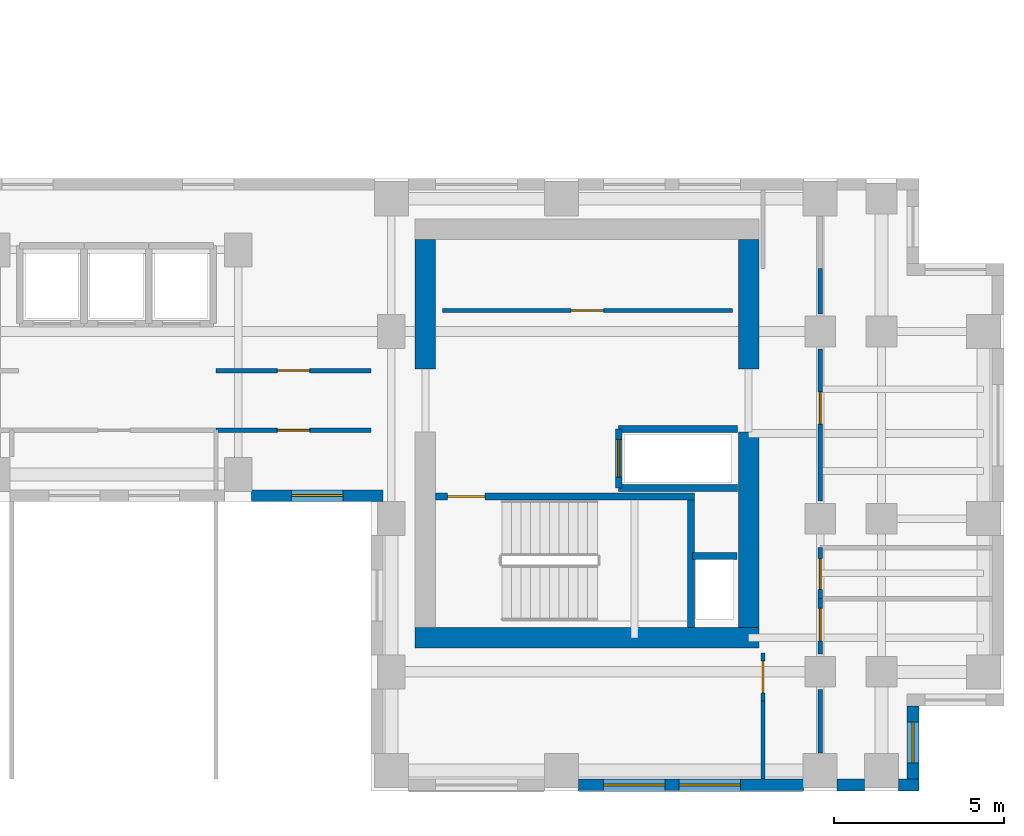
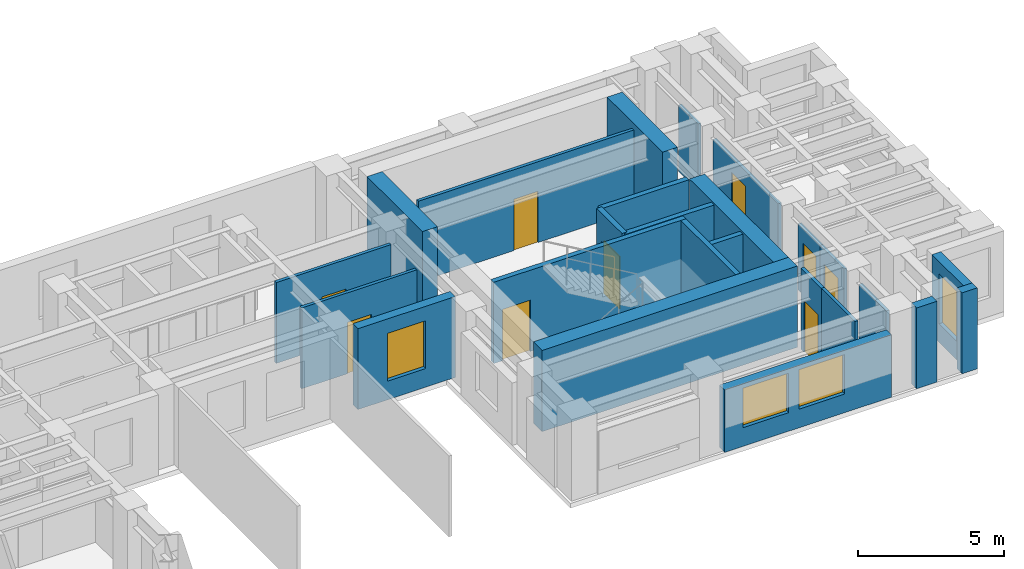
# One storey, part 7 of 11: 25 walls, 9 doors, 4 windows, 13 openings.
"""IFC4 building model written with IfcOpenShell, lengths in metres."""

from ifc_helpers import new_model, si_unit, direction, frame, frame_2d, origin, place, context, subcontext, project, spatial, rectangle, extrude, source, transform, mapped, material, layer, layer_set, type_object, element, fill, save


model = new_model("IFC4")

# Units and contexts
model_context = context("Model", 3, precision=1e-05, world=origin(), true_north=direction((0.0, 1.0)))
body_context = subcontext(model_context, "Body", "Model", "MODEL_VIEW")
ifc_project = project(units=[si_unit("LENGTHUNIT", "METRE"), si_unit("AREAUNIT", "SQUARE_METRE"), si_unit("VOLUMEUNIT", "CUBIC_METRE"), si_unit("PLANEANGLEUNIT", "RADIAN"), si_unit("MASSUNIT", "GRAM", prefix="KILO")], contexts=[model_context])

# Site, building, storey
site_placement = place(None, origin())
site = spatial("IfcSite", under=ifc_project, at=site_placement, CompositionType="ELEMENT")
building_placement = place(site_placement, origin())
building = spatial("IfcBuilding", under=site, at=building_placement, Name="Kharzan Plaza Tower", CompositionType="ELEMENT")
storey_placement = place(building_placement, frame((0.0, 0.0, 200.699951171875)))
storey = spatial("IfcBuildingStorey", under=building, at=storey_placement, Name="L54", CompositionType="ELEMENT", Elevation=200.699951171875)

# Wall, opening, window
ifc_material_1 = material(Name="Concrete C40/50", Category="concrete")
ifc_layer_1 = layer(ifc_material_1, 0.35009765625)
ifc_layer_set_1 = layer_set([ifc_layer_1], Name="Concrete C40/50")
wall_type_1 = type_object("IfcWallType", Name="WL-EXT-MAS-Z3", PredefinedType="SOLIDWALL", material=ifc_layer_set_1)
wall_1_placement = place(storey_placement, frame((30.89794921875, 8.675048828125, 0.0), z_axis=(0.0, 0.0, 1.0), x_axis=(1.0, 0.0, 0.0)))
wall_1 = element("IfcWall", 1, at=wall_1_placement, inside=storey, type_object=wall_type_1, Name="L54 Masonry-Frame Exterior Wall 28", PredefinedType="SOLIDWALL", context=body_context, shape_type="SweptSolid", body=[
    extrude(rectangle(XDim=3.85205078125, YDim=0.35009765625, at=frame_2d((1.926025390625, 0.0))), origin(), (0.0, 0.0, 1.0), 3.385009765625),
])
opening_1_placement = place(wall_1_placement, frame((1.176025390625, 0.0, 0.780029296875)))
opening_1 = element("IfcOpeningElement", 2, at=opening_1_placement, cuts=wall_1, Name="Opening W5", PredefinedType="OPENING", context=body_context, shape_type="SweptSolid", body=[
    extrude(rectangle(XDim=1.5, YDim=2.0, at=frame_2d((0.75, 1.0))), frame((0.0, 0.18505859375, 0.0), z_axis=(0.0, -1.0, 0.0), x_axis=(1.0, 0.0, 0.0)), (0.0, 0.0, 1.0), 0.3701171875),
])
ifc_material_2 = material(Name="Low-E Double Glazing", Category="glass")
window_type_1 = type_object("IfcWindowType", Name="WN-SLT-1500x2000", PartitioningType="SINGLE_PANEL", PredefinedType="WINDOW", material=ifc_material_2)
shared_shape_1 = source(origin(), body_context, "Body", "SweptSolid", [
    extrude(rectangle(XDim=1.5, YDim=2.0, at=frame_2d((0.75, 1.0))), frame((0.0, 0.030029296875, 0.0), z_axis=(0.0, -1.0, 0.0), x_axis=(1.0, 0.0, 0.0)), (0.0, 0.0, 1.0), 0.06005859375),
])
window_1_placement = place(opening_1_placement, origin())
window_1 = element("IfcWindow", 3, at=window_1_placement, inside=storey, type_object=window_type_1, Name="L54 Recessed Solar-Control Window 28-1", OverallHeight=2.0, OverallWidth=1.5, PartitioningType="SINGLE_PANEL", PredefinedType="WINDOW", context=body_context, shape_type="MappedRepresentation", body=[
    mapped(shared_shape_1, transform((0.0, 0.0, 0.0), x_axis=(1.0, 0.0, 0.0), y_axis=(0.0, 1.0, 0.0), z_axis=(0.0, 0.0, 1.0))),
])
fill(opening_1, window_1)

# Wall, openings, windows
wall_2_placement = place(storey_placement, frame((40.498046875, 0.175048828125, 0.0), z_axis=(0.0, 0.0, 1.0), x_axis=(1.0, 0.0, 0.0)))
wall_2 = element("IfcWall", 4, at=wall_2_placement, inside=storey, type_object=wall_type_1, Name="L54 Masonry-Frame Exterior Wall 32", PredefinedType="SOLIDWALL", context=body_context, shape_type="SweptSolid", body=[
    extrude(rectangle(XDim=6.60400390625, YDim=0.35009765625, at=frame_2d((3.302001953125, 0.0))), origin(), (0.0, 0.0, 1.0), 2.612060546875),
])
opening_2_placement = place(wall_2_placement, frame((0.7373046875, 0.0, 0.780029296875)))
opening_2 = element("IfcOpeningElement", 5, at=opening_2_placement, cuts=wall_2, Name="Opening W1", PredefinedType="OPENING", context=body_context, shape_type="SweptSolid", body=[
    extrude(rectangle(XDim=1.800048828125, YDim=1.652099609375, at=frame_2d((0.89990234375, 0.826171875))), frame((0.0, 0.18505859375, 0.0), z_axis=(0.0, -1.0, 0.0), x_axis=(1.0, 0.0, 0.0)), (0.0, 0.0, 1.0), 0.3701171875),
])
opening_3_placement = place(wall_2_placement, frame((2.95458984375, 0.0, 0.780029296875)))
opening_3 = element("IfcOpeningElement", 6, at=opening_3_placement, cuts=wall_2, Name="Opening W1", PredefinedType="OPENING", context=body_context, shape_type="SweptSolid", body=[
    extrude(rectangle(XDim=1.800048828125, YDim=1.652099609375, at=frame_2d((0.89990234375, 0.826171875))), frame((0.0, 0.18505859375, 0.0), z_axis=(0.0, -1.0, 0.0), x_axis=(1.0, 0.0, 0.0)), (0.0, 0.0, 1.0), 0.3701171875),
])
window_type_2 = type_object("IfcWindowType", Name="WN-REC-1800x2100", PartitioningType="SINGLE_PANEL", PredefinedType="WINDOW", material=ifc_material_2)
shared_shape_2 = source(origin(), body_context, "Body", "SweptSolid", [
    extrude(rectangle(XDim=1.800048828125, YDim=1.652099609375, at=frame_2d((0.89990234375, 0.826171875))), frame((0.0, 0.030029296875, 0.0), z_axis=(0.0, -1.0, 0.0), x_axis=(1.0, 0.0, 0.0)), (0.0, 0.0, 1.0), 0.06005859375),
])
window_2_placement = place(opening_2_placement, origin())
window_2 = element("IfcWindow", 7, at=window_2_placement, inside=storey, type_object=window_type_2, Name="L54 Recessed Solar-Control Window 32-1", OverallHeight=1.652099609375, OverallWidth=1.800048828125, PartitioningType="SINGLE_PANEL", PredefinedType="WINDOW", context=body_context, shape_type="MappedRepresentation", body=[
    mapped(shared_shape_2, transform((0.0, 0.0, 0.0), x_axis=(1.0, 0.0, 0.0), y_axis=(0.0, 1.0, 0.0), z_axis=(0.0, 0.0, 1.0))),
])
fill(opening_2, window_2)
window_3_placement = place(opening_3_placement, origin())
window_3 = element("IfcWindow", 8, at=window_3_placement, inside=storey, type_object=window_type_2, Name="L54 Recessed Solar-Control Window 32-2", OverallHeight=1.652099609375, OverallWidth=1.800048828125, PartitioningType="SINGLE_PANEL", PredefinedType="WINDOW", context=body_context, shape_type="MappedRepresentation", body=[
    mapped(shared_shape_2, transform((0.0, 0.0, 0.0), x_axis=(1.0, 0.0, 0.0), y_axis=(0.0, 1.0, 0.0), z_axis=(0.0, 0.0, 1.0))),
])
fill(opening_3, window_3)

# Wall, opening, window
wall_3_placement = place(storey_placement, frame((50.324951171875, 0.347900390625, 0.0), z_axis=(0.0, 0.0, 1.0), x_axis=(0.0, 1.0, 0.0)))
wall_3 = element("IfcWall", 9, at=wall_3_placement, inside=storey, type_object=wall_type_1, Name="L54 Masonry-Frame Exterior Wall 35", PredefinedType="SOLIDWALL", context=body_context, shape_type="SweptSolid", body=[
    extrude(rectangle(XDim=2.154052734375, YDim=0.35009765625, at=frame_2d((1.0771484375, 0.0))), origin(), (0.0, 0.0, 1.0), 3.385009765625),
])
opening_4_placement = place(wall_3_placement, frame((0.47705078125, 0.0, 0.780029296875)))
opening_4 = element("IfcOpeningElement", 10, at=opening_4_placement, cuts=wall_3, Name="Opening W3", PredefinedType="OPENING", context=body_context, shape_type="SweptSolid", body=[
    extrude(rectangle(XDim=1.199951171875, YDim=2.10009765625, at=frame_2d((0.60009765625, 1.050048828125))), frame((0.0, 0.18505859375, 0.0), z_axis=(0.0, -1.0, 0.0), x_axis=(1.0, 0.0, 0.0)), (0.0, 0.0, 1.0), 0.3701171875),
])
window_type_3 = type_object("IfcWindowType", Name="WN-REC-1200x2100", PartitioningType="SINGLE_PANEL", PredefinedType="WINDOW", material=ifc_material_2)
shared_shape_3 = source(origin(), body_context, "Body", "SweptSolid", [
    extrude(rectangle(XDim=1.199951171875, YDim=2.10009765625, at=frame_2d((0.60009765625, 1.050048828125))), frame((0.0, 0.030029296875, 0.0), z_axis=(0.0, -1.0, 0.0), x_axis=(1.0, 0.0, 0.0)), (0.0, 0.0, 1.0), 0.06005859375),
])
window_4_placement = place(opening_4_placement, origin())
window_4 = element("IfcWindow", 11, at=window_4_placement, inside=storey, type_object=window_type_3, Name="L54 Recessed Solar-Control Window 35-1", OverallHeight=2.10009765625, OverallWidth=1.199951171875, PartitioningType="SINGLE_PANEL", PredefinedType="WINDOW", context=body_context, shape_type="MappedRepresentation", body=[
    mapped(shared_shape_3, transform((0.0, 0.0, 0.0), x_axis=(1.0, 0.0, 0.0), y_axis=(0.0, 1.0, 0.0), z_axis=(0.0, 0.0, 1.0))),
])
fill(opening_4, window_4)

# Wall, opening, door
ifc_material_3 = material(Name="Fire-Rated Gypsum Board Partition", Category="gypsum")
ifc_layer_2 = layer(ifc_material_3, 0.125)
ifc_layer_set_2 = layer_set([ifc_layer_2], Name="Fire-Rated Gypsum Board Partition")
wall_type_2 = type_object("IfcWallType", Name="WL-INT-PART-125", PredefinedType="PARTITIONING", material=ifc_layer_set_2)
wall_4_placement = place(storey_placement, frame((36.5, 14.1201171875, 0.0), z_axis=(0.0, 0.0, 1.0), x_axis=(1.0, 0.0, 0.0)))
wall_4 = element("IfcWall", 12, at=wall_4_placement, inside=storey, type_object=wall_type_2, Name="L54 Interior Partition CB-RBLS1", PredefinedType="PARTITIONING", context=body_context, shape_type="SweptSolid", body=[
    extrude(rectangle(XDim=8.52001953125, YDim=0.125, at=frame_2d((4.260009765625, 0.0))), origin(), (0.0, 0.0, 1.0), 3.385009765625),
])
opening_5_placement = place(wall_4_placement, frame((3.784912109375, 0.0, 0.0)))
opening_5 = element("IfcOpeningElement", 13, at=opening_5_placement, cuts=wall_4, Name="Opening OD1", PredefinedType="OPENING", context=body_context, shape_type="SweptSolid", body=[
    extrude(rectangle(XDim=0.949951171875, YDim=2.14990234375, at=frame_2d((0.47509765625, 1.074951171875))), frame((0.0, 0.072509765625, 0.0), z_axis=(0.0, -1.0, 0.0), x_axis=(1.0, 0.0, 0.0)), (0.0, 0.0, 1.0), 0.14501953125),
])
ifc_material_4 = material(Name="Acoustic Solid-Core Stained Oak", Category="timber")
door_type_1 = type_object("IfcDoorType", Name="DR-OFF-SINGLE", OperationType="NOTDEFINED", PredefinedType="DOOR", material=ifc_material_4)
shared_shape_4 = source(origin(), body_context, "Body", "SweptSolid", [
    extrude(rectangle(XDim=0.949951171875, YDim=2.14990234375, at=frame_2d((0.47509765625, 1.074951171875))), frame((0.0, 0.02490234375, 0.0), z_axis=(0.0, -1.0, 0.0), x_axis=(1.0, 0.0, 0.0)), (0.0, 0.0, 1.0), 0.050048828125),
])
door_1_placement = place(opening_5_placement, origin())
door_1 = element("IfcDoor", 14, at=door_1_placement, inside=storey, type_object=door_type_1, Name="L54 Mail Room Door", OperationType="SINGLE_SWING_LEFT", OverallHeight=2.14990234375, OverallWidth=0.949951171875, PredefinedType="DOOR", context=body_context, shape_type="MappedRepresentation", body=[
    mapped(shared_shape_4, transform((0.0, 0.0, 0.0), x_axis=(1.0, 0.0, 0.0), y_axis=(0.0, 1.0, 0.0), z_axis=(0.0, 0.0, 1.0))),
])
fill(opening_5, door_1)

wall_5_placement = place(storey_placement, frame((47.60009765625, 4.02001953125, 0.0), z_axis=(0.0, 0.0, 1.0), x_axis=(0.0, 1.0, 0.0)))
wall_5 = element("IfcWall", 15, at=wall_5_placement, inside=storey, type_object=wall_type_2, Name="L54 Interior Partition SH-B0W0", PredefinedType="PARTITIONING", context=body_context, shape_type="SweptSolid", body=[
    extrude(rectangle(XDim=1.6298828125, YDim=0.125, at=frame_2d((0.81494140625, 0.0))), origin(), (0.0, 0.0, 1.0), 2.77294921875),
])
opening_6_placement = place(wall_5_placement, frame((0.393310546875, 0.0, 0.0)))
opening_6 = element("IfcOpeningElement", 16, at=opening_6_placement, cuts=wall_5, Name="Opening OD1", PredefinedType="OPENING", context=body_context, shape_type="SweptSolid", body=[
    extrude(rectangle(XDim=0.949951171875, YDim=2.14990234375, at=frame_2d((0.47509765625, 1.074951171875))), frame((0.0, 0.072509765625, 0.0), z_axis=(0.0, -1.0, 0.0), x_axis=(1.0, 0.0, 0.0)), (0.0, 0.0, 1.0), 0.14501953125),
])
door_2_placement = place(opening_6_placement, origin())
door_2 = element("IfcDoor", 17, at=door_2_placement, inside=storey, type_object=door_type_1, Name="L54 Wing B South Office Door", OperationType="SINGLE_SWING_RIGHT", OverallHeight=2.14990234375, OverallWidth=0.949951171875, PredefinedType="DOOR", context=body_context, shape_type="MappedRepresentation", body=[
    mapped(shared_shape_4, transform((0.0, 0.0, 0.0), x_axis=(1.0, 0.0, 0.0), y_axis=(0.0, 1.0, 0.0), z_axis=(0.0, 0.0, 1.0))),
])
fill(opening_6, door_2)

wall_6_placement = place(storey_placement, frame((47.60009765625, 8.52001953125, 0.0), z_axis=(0.0, 0.0, 1.0), x_axis=(0.0, 1.0, 0.0)))
wall_6 = element("IfcWall", 18, at=wall_6_placement, inside=storey, type_object=wall_type_2, Name="L54 Interior Partition SH-B0W1-S1", PredefinedType="PARTITIONING", context=body_context, shape_type="SweptSolid", body=[
    extrude(rectangle(XDim=4.4599609375, YDim=0.125, at=frame_2d((2.22998046875, 0.0))), origin(), (0.0, 0.0, 1.0), 2.77294921875),
])
opening_7_placement = place(wall_6_placement, frame((2.2548828125, 0.0, 0.0)))
opening_7 = element("IfcOpeningElement", 19, at=opening_7_placement, cuts=wall_6, Name="Opening OD1", PredefinedType="OPENING", context=body_context, shape_type="SweptSolid", body=[
    extrude(rectangle(XDim=0.949951171875, YDim=2.14990234375, at=frame_2d((0.47509765625, 1.074951171875))), frame((0.0, 0.072509765625, 0.0), z_axis=(0.0, -1.0, 0.0), x_axis=(1.0, 0.0, 0.0)), (0.0, 0.0, 1.0), 0.14501953125),
])
door_3_placement = place(opening_7_placement, origin())
door_3 = element("IfcDoor", 20, at=door_3_placement, inside=storey, type_object=door_type_1, Name="L54 Open Engineering Workspace Door", OperationType="SINGLE_SWING_LEFT", OverallHeight=2.14990234375, OverallWidth=0.949951171875, PredefinedType="DOOR", context=body_context, shape_type="MappedRepresentation", body=[
    mapped(shared_shape_4, transform((0.0, 0.0, 0.0), x_axis=(1.0, 0.0, 0.0), y_axis=(0.0, 1.0, 0.0), z_axis=(0.0, 0.0, 1.0))),
])
fill(opening_7, door_3)

wall_7_placement = place(storey_placement, frame((47.60009765625, 5.64990234375, 0.0), z_axis=(0.0, 0.0, 1.0), x_axis=(0.0, 1.0, 0.0)))
wall_7 = element("IfcWall", 21, at=wall_7_placement, inside=storey, type_object=wall_type_2, Name="L54 Interior Partition SH-B0WC", PredefinedType="PARTITIONING", context=body_context, shape_type="SweptSolid", body=[
    extrude(rectangle(XDim=1.5, YDim=0.125, at=frame_2d((0.75, 0.0))), origin(), (0.0, 0.0, 1.0), 2.77294921875),
])
opening_8_placement = place(wall_7_placement, frame((0.27490234375, 0.0, 0.0)))
opening_8 = element("IfcOpeningElement", 22, at=opening_8_placement, cuts=wall_7, Name="Opening WD1", PredefinedType="OPENING", context=body_context, shape_type="SweptSolid", body=[
    extrude(rectangle(XDim=0.89990234375, YDim=2.14990234375, at=frame_2d((0.449951171875, 1.074951171875))), frame((0.0, 0.072509765625, 0.0), z_axis=(0.0, -1.0, 0.0), x_axis=(1.0, 0.0, 0.0)), (0.0, 0.0, 1.0), 0.14501953125),
])
ifc_material_5 = material(Name="Moisture-Resistant Fire-Rated Laminate", Category="timber")
door_type_2 = type_object("IfcDoorType", Name="DR-WC-900", OperationType="NOTDEFINED", PredefinedType="DOOR", material=ifc_material_5)
shared_shape_5 = source(origin(), body_context, "Body", "SweptSolid", [
    extrude(rectangle(XDim=0.89990234375, YDim=2.14990234375, at=frame_2d((0.449951171875, 1.074951171875))), frame((0.0, 0.02490234375, 0.0), z_axis=(0.0, -1.0, 0.0), x_axis=(1.0, 0.0, 0.0)), (0.0, 0.0, 1.0), 0.050048828125),
])
door_4_placement = place(opening_8_placement, origin())
door_4 = element("IfcDoor", 23, at=door_4_placement, inside=storey, type_object=door_type_2, Name="L54 Wing B Washroom Door", OperationType="SINGLE_SWING_LEFT", OverallHeight=2.14990234375, OverallWidth=0.89990234375, PredefinedType="DOOR", context=body_context, shape_type="MappedRepresentation", body=[
    mapped(shared_shape_5, transform((0.0, 0.0, 0.0), x_axis=(1.0, 0.0, 0.0), y_axis=(0.0, 1.0, 0.0), z_axis=(0.0, 0.0, 1.0))),
])
fill(opening_8, door_4)

wall_8_placement = place(storey_placement, frame((45.919921875, 2.64990234375, 0.0), z_axis=(0.0, 0.0, 1.0), x_axis=(0.0, 1.0, 0.0)))
wall_8 = element("IfcWall", 24, at=wall_8_placement, inside=storey, type_object=wall_type_2, Name="L54 Interior Partition SH-RBSE", PredefinedType="PARTITIONING", context=body_context, shape_type="SweptSolid", body=[
    extrude(rectangle(XDim=1.400146484375, YDim=0.125, at=frame_2d((0.7001953125, 0.0))), origin(), (0.0, 0.0, 1.0), 3.385009765625),
])
opening_9_placement = place(wall_8_placement, frame((0.22509765625, 0.0, 0.0)))
opening_9 = element("IfcOpeningElement", 25, at=opening_9_placement, cuts=wall_8, Name="Opening OD1", PredefinedType="OPENING", context=body_context, shape_type="SweptSolid", body=[
    extrude(rectangle(XDim=0.949951171875, YDim=2.14990234375, at=frame_2d((0.47509765625, 1.074951171875))), frame((0.0, 0.072509765625, 0.0), z_axis=(0.0, -1.0, 0.0), x_axis=(1.0, 0.0, 0.0)), (0.0, 0.0, 1.0), 0.14501953125),
])
door_5_placement = place(opening_9_placement, origin())
door_5 = element("IfcDoor", 26, at=door_5_placement, inside=storey, type_object=door_type_1, Name="L54 South-East Corner Office Door", OperationType="SINGLE_SWING_RIGHT", OverallHeight=2.14990234375, OverallWidth=0.949951171875, PredefinedType="DOOR", context=body_context, shape_type="MappedRepresentation", body=[
    mapped(shared_shape_4, transform((0.0, 0.0, 0.0), x_axis=(1.0, 0.0, 0.0), y_axis=(0.0, 1.0, 0.0), z_axis=(0.0, 0.0, 1.0))),
])
fill(opening_9, door_5)

wall_9_placement = place(storey_placement, frame((29.85009765625, 12.35009765625, 0.0), z_axis=(0.0, 0.0, 1.0), x_axis=(1.0, 0.0, 0.0)))
wall_9 = element("IfcWall", 27, at=wall_9_placement, inside=storey, type_object=wall_type_2, Name="L54 Interior Partition SH-SPNE1", PredefinedType="PARTITIONING", context=body_context, shape_type="SweptSolid", body=[
    extrude(rectangle(XDim=4.5498046875, YDim=0.125, at=frame_2d((2.27490234375, 0.0))), origin(), (0.0, 0.0, 1.0), 3.385009765625),
])
opening_10_placement = place(wall_9_placement, frame((1.800048828125, 0.0, 0.0)))
opening_10 = element("IfcOpeningElement", 28, at=opening_10_placement, cuts=wall_9, Name="Opening OD1", PredefinedType="OPENING", context=body_context, shape_type="SweptSolid", body=[
    extrude(rectangle(XDim=0.949951171875, YDim=2.14990234375, at=frame_2d((0.47509765625, 1.074951171875))), frame((0.0, 0.072509765625, 0.0), z_axis=(0.0, -1.0, 0.0), x_axis=(1.0, 0.0, 0.0)), (0.0, 0.0, 1.0), 0.14501953125),
])
door_6_placement = place(opening_10_placement, origin())
door_6 = element("IfcDoor", 29, at=door_6_placement, inside=storey, type_object=door_type_1, Name="L54 North-East Spine Door", OperationType="SINGLE_SWING_LEFT", OverallHeight=2.14990234375, OverallWidth=0.949951171875, PredefinedType="DOOR", context=body_context, shape_type="MappedRepresentation", body=[
    mapped(shared_shape_4, transform((0.0, 0.0, 0.0), x_axis=(1.0, 0.0, 0.0), y_axis=(0.0, 1.0, 0.0), z_axis=(0.0, 0.0, 1.0))),
])
fill(opening_10, door_6)

wall_10_placement = place(storey_placement, frame((29.85009765625, 10.60009765625, 0.0), z_axis=(0.0, 0.0, 1.0), x_axis=(1.0, 0.0, 0.0)))
wall_10 = element("IfcWall", 30, at=wall_10_placement, inside=storey, type_object=wall_type_2, Name="L54 Interior Partition SH-SPS3", PredefinedType="PARTITIONING", context=body_context, shape_type="SweptSolid", body=[
    extrude(rectangle(XDim=4.5498046875, YDim=0.125, at=frame_2d((2.27490234375, 0.0))), origin(), (0.0, 0.0, 1.0), 3.385009765625),
])
opening_11_placement = place(wall_10_placement, frame((1.800048828125, 0.0, 0.0)))
opening_11 = element("IfcOpeningElement", 31, at=opening_11_placement, cuts=wall_10, Name="Opening OD1", PredefinedType="OPENING", context=body_context, shape_type="SweptSolid", body=[
    extrude(rectangle(XDim=0.949951171875, YDim=2.14990234375, at=frame_2d((0.47509765625, 1.074951171875))), frame((0.0, 0.072509765625, 0.0), z_axis=(0.0, -1.0, 0.0), x_axis=(1.0, 0.0, 0.0)), (0.0, 0.0, 1.0), 0.14501953125),
])
door_7_placement = place(opening_11_placement, origin())
door_7 = element("IfcDoor", 32, at=door_7_placement, inside=storey, type_object=door_type_1, Name="L54 Spine Studio 3 Door", OperationType="SINGLE_SWING_LEFT", OverallHeight=2.14990234375, OverallWidth=0.949951171875, PredefinedType="DOOR", context=body_context, shape_type="MappedRepresentation", body=[
    mapped(shared_shape_4, transform((0.0, 0.0, 0.0), x_axis=(1.0, 0.0, 0.0), y_axis=(0.0, 1.0, 0.0), z_axis=(0.0, 0.0, 1.0))),
])
fill(opening_11, door_7)

ifc_layer_3 = layer(ifc_material_1, 0.199951171875)
ifc_layer_set_3 = layer_set([ifc_layer_3], Name="Concrete C40/50")
wall_type_3 = type_object("IfcWallType", Name="WL-INT-SHAFT-200", PredefinedType="PARTITIONING", material=ifc_layer_set_3)
wall_11_placement = place(storey_placement, frame((41.679931640625, 8.89990234375, 0.0), z_axis=(0.0, 0.0, 1.0), x_axis=(0.0, 1.0, 0.0)))
wall_11 = element("IfcWall", 33, at=wall_11_placement, inside=storey, type_object=wall_type_3, Name="L54 Interior Partition SHF-SVL-2-W", PredefinedType="PARTITIONING", context=body_context, shape_type="SweptSolid", body=[
    extrude(rectangle(XDim=1.739990234375, YDim=0.199951171875, at=frame_2d((0.8701171875, 0.0))), origin(), (0.0, 0.0, 1.0), 3.385009765625),
])
opening_12_placement = place(wall_11_placement, frame((0.320068359375, 0.0, 0.0)))
opening_12 = element("IfcOpeningElement", 34, at=opening_12_placement, cuts=wall_11, Name="Opening LD", PredefinedType="OPENING", context=body_context, shape_type="SweptSolid", body=[
    extrude(rectangle(XDim=1.10009765625, YDim=2.199951171875, at=frame_2d((0.550048828125, 1.10009765625))), frame((0.0, 0.10986328125, 0.0), z_axis=(0.0, -1.0, 0.0), x_axis=(1.0, 0.0, 0.0)), (0.0, 0.0, 1.0), 0.219970703125),
])
ifc_material_6 = material(Name="Brushed Stainless Steel", Category="steel")
door_type_3 = type_object("IfcDoorType", Name="DR-LIFT-SLIDE", OperationType="SLIDING_TO_LEFT", PredefinedType="DOOR", material=ifc_material_6)
shared_shape_6 = source(origin(), body_context, "Body", "SweptSolid", [
    extrude(rectangle(XDim=1.10009765625, YDim=2.199951171875, at=frame_2d((0.550048828125, 1.10009765625))), frame((0.0, 0.02490234375, 0.0), z_axis=(0.0, -1.0, 0.0), x_axis=(1.0, 0.0, 0.0)), (0.0, 0.0, 1.0), 0.050048828125),
])
door_8_placement = place(opening_12_placement, origin())
door_8 = element("IfcDoor", 35, at=door_8_placement, inside=storey, type_object=door_type_3, Name="L54 Service Lift SVL-2 Sliding Landing Door", OperationType="SLIDING_TO_LEFT", OverallHeight=2.199951171875, OverallWidth=1.10009765625, PredefinedType="DOOR", context=body_context, shape_type="MappedRepresentation", body=[
    mapped(shared_shape_6, transform((0.0, 0.0, 0.0), x_axis=(1.0, 0.0, 0.0), y_axis=(0.0, 1.0, 0.0), z_axis=(0.0, 0.0, 1.0))),
])
fill(opening_12, door_8)

ifc_material_7 = material(Name="Concrete C50/60", Category="concrete")
ifc_layer_4 = layer(ifc_material_7, 0.199951171875)
ifc_layer_set_4 = layer_set([ifc_layer_4], Name="Concrete C50/60")
wall_type_4 = type_object("IfcWallType", Name="WL-SHAFT-RC200", PredefinedType="SHEAR", material=ifc_layer_set_4)
wall_12_placement = place(storey_placement, frame((36.302001953125, 8.655029296875, 0.0), z_axis=(0.0, 0.0, 1.0), x_axis=(1.0, 0.0, 0.0)))
wall_12 = element("IfcWall", 36, at=wall_12_placement, inside=storey, type_object=wall_type_4, Name="L54 Stair ST-3 North RC Shaft Wall", PredefinedType="SHEAR", context=body_context, shape_type="SweptSolid", body=[
    extrude(rectangle(XDim=7.60302734375, YDim=0.199951171875, at=frame_2d((3.801513671875, 0.0))), origin(), (0.0, 0.0, 1.0), 3.400146484375),
])
opening_13_placement = place(wall_12_placement, frame((0.35009765625, 0.0, 0.0)))
opening_13 = element("IfcOpeningElement", 37, at=opening_13_placement, cuts=wall_12, Name="Opening SD1", PredefinedType="OPENING", context=body_context, shape_type="SweptSolid", body=[
    extrude(rectangle(XDim=1.10009765625, YDim=2.14990234375, at=frame_2d((0.550048828125, 1.074951171875))), frame((0.0, 0.10986328125, 0.0), z_axis=(0.0, -1.0, 0.0), x_axis=(1.0, 0.0, 0.0)), (0.0, 0.0, 1.0), 0.219970703125),
])
ifc_material_8 = material(Name="Fire-Rated Hollow Galvanized Steel", Category="steel")
door_type_4 = type_object("IfcDoorType", Name="DR-STAIR-FD120", OperationType="NOTDEFINED", PredefinedType="DOOR", material=ifc_material_8)
shared_shape_7 = source(origin(), body_context, "Body", "SweptSolid", [
    extrude(rectangle(XDim=1.10009765625, YDim=2.14990234375, at=frame_2d((0.550048828125, 1.074951171875))), frame((0.0, 0.02490234375, 0.0), z_axis=(0.0, -1.0, 0.0), x_axis=(1.0, 0.0, 0.0)), (0.0, 0.0, 1.0), 0.050048828125),
])
door_9_placement = place(opening_13_placement, origin())
door_9 = element("IfcDoor", 38, at=door_9_placement, inside=storey, type_object=door_type_4, Name="L54 Stair ST-3 Fire Exit Door", OperationType="SINGLE_SWING_RIGHT", OverallHeight=2.14990234375, OverallWidth=1.10009765625, PredefinedType="DOOR", context=body_context, shape_type="MappedRepresentation", body=[
    mapped(shared_shape_7, transform((0.0, 0.0, 0.0), x_axis=(1.0, 0.0, 0.0), y_axis=(0.0, 1.0, 0.0), z_axis=(0.0, 0.0, 1.0))),
])
fill(opening_13, door_9)

# Walls
shared_shape_8 = source(origin(), body_context, "Body", "SweptSolid", [
    extrude(rectangle(XDim=0.80419921875, YDim=0.35009765625, at=frame_2d((0.402099609375, 0.0))), origin(), (0.0, 0.0, 1.0), 3.385009765625),
])
wall_13_placement = place(storey_placement, frame((48.097900390625, 0.175048828125, 0.0), z_axis=(0.0, 0.0, 1.0), x_axis=(1.0, 0.0, 0.0)))
element("IfcWall", 39, at=wall_13_placement, inside=storey, type_object=wall_type_1, Name="L54 Masonry-Frame Exterior Wall 33", PredefinedType="SOLIDWALL", context=body_context, shape_type="MappedRepresentation", body=[
    mapped(shared_shape_8, transform((0.0, 0.0, 0.0), x_axis=(1.0, 0.0, 0.0), y_axis=(0.0, 1.0, 0.0), z_axis=(0.0, 0.0, 1.0))),
])
shared_shape_9 = source(origin(), body_context, "Body", "SweptSolid", [
    extrude(rectangle(XDim=0.60205078125, YDim=0.35009765625, at=frame_2d((0.301025390625, 0.0))), origin(), (0.0, 0.0, 1.0), 3.385009765625),
])
wall_14_placement = place(storey_placement, frame((49.89794921875, 0.175048828125, 0.0), z_axis=(0.0, 0.0, 1.0), x_axis=(1.0, 0.0, 0.0)))
element("IfcWall", 40, at=wall_14_placement, inside=storey, type_object=wall_type_1, Name="L54 Masonry-Frame Exterior Wall 34", PredefinedType="SOLIDWALL", context=body_context, shape_type="MappedRepresentation", body=[
    mapped(shared_shape_9, transform((0.0, 0.0, 0.0), x_axis=(1.0, 0.0, 0.0), y_axis=(0.0, 1.0, 0.0), z_axis=(0.0, 0.0, 1.0))),
])
shared_shape_10 = source(origin(), body_context, "Body", "SweptSolid", [
    extrude(rectangle(XDim=2.2978515625, YDim=0.125, at=frame_2d((1.14892578125, 0.0))), origin(), (0.0, 0.0, 1.0), 3.385009765625),
])
wall_15_placement = place(storey_placement, frame((45.919921875, 0.35205078125, 0.0), z_axis=(0.0, 0.0, 1.0), x_axis=(0.0, 1.0, 0.0)))
element("IfcWall", 41, at=wall_15_placement, inside=storey, type_object=wall_type_2, Name="L54 Interior Partition SH-RBSE0", PredefinedType="PARTITIONING", context=body_context, shape_type="MappedRepresentation", body=[
    mapped(shared_shape_10, transform((0.0, 0.0, 0.0), x_axis=(1.0, 0.0, 0.0), y_axis=(0.0, 1.0, 0.0), z_axis=(0.0, 0.0, 1.0))),
])
shared_shape_11 = source(origin(), body_context, "Body", "SweptSolid", [
    extrude(rectangle(XDim=1.2998046875, YDim=0.199951171875, at=frame_2d((0.64990234375, 0.0))), origin(), (0.0, 0.0, 1.0), 3.385009765625),
])
wall_16_placement = place(storey_placement, frame((43.85009765625, 6.89990234375, 0.0), z_axis=(0.0, 0.0, 1.0), x_axis=(1.0, 0.0, 0.0)))
element("IfcWall", 42, at=wall_16_placement, inside=storey, type_object=wall_type_3, Name="L54 Interior Partition CB-RSRB-N", PredefinedType="PARTITIONING", context=body_context, shape_type="MappedRepresentation", body=[
    mapped(shared_shape_11, transform((0.0, 0.0, 0.0), x_axis=(1.0, 0.0, 0.0), y_axis=(0.0, 1.0, 0.0), z_axis=(0.0, 0.0, 1.0))),
])
shared_shape_12 = source(origin(), body_context, "Body", "SweptSolid", [
    extrude(rectangle(XDim=3.489990234375, YDim=0.199951171875, at=frame_2d((1.7451171875, 0.0))), origin(), (0.0, 0.0, 1.0), 3.385009765625),
])
for number, where, z_axis, x_axis, name in (
    (43, (41.679931640625, 10.639892578125, 0.0), (0.0, 0.0, 1.0), (1.0, 0.0, 0.0), "L54 Interior Partition SHF-SVL-2-N"),
    (44, (41.679931640625, 8.89990234375, 0.0), (0.0, 0.0, 1.0), (1.0, 0.0, 0.0), "L54 Interior Partition SHF-SVL-2-S"),
):
    element("IfcWall", number, at=place(storey_placement, frame(where, z_axis=z_axis, x_axis=x_axis)), inside=storey, type_object=wall_type_3, Name=name, PredefinedType="PARTITIONING", context=body_context, shape_type="MappedRepresentation", body=[
        mapped(shared_shape_12, transform((0.0, 0.0, 0.0), x_axis=(1.0, 0.0, 0.0), y_axis=(0.0, 1.0, 0.0), z_axis=(0.0, 0.0, 1.0))),
    ])
ifc_layer_5 = layer(ifc_material_7, 0.60009765625)
ifc_layer_set_5 = layer_set([ifc_layer_5], Name="Concrete C50/60")
wall_type_5 = type_object("IfcWallType", Name="WL-CORE-600", PredefinedType="SHEAR", material=ifc_layer_set_5)
shared_shape_13 = source(origin(), body_context, "Body", "SweptSolid", [
    extrude(rectangle(XDim=5.75, YDim=0.60009765625, at=frame_2d((2.875, 0.0))), origin(), (0.0, 0.0, 1.0), 3.400146484375),
])
wall_17_placement = place(storey_placement, frame((45.5, 4.800048828125, 0.0), z_axis=(0.0, 0.0, 1.0), x_axis=(0.0, 1.0, 0.0)))
element("IfcWall", 45, at=wall_17_placement, inside=storey, type_object=wall_type_5, Name="L54 CORE-B east shear pier 1", PredefinedType="SHEAR", context=body_context, shape_type="MappedRepresentation", body=[
    mapped(shared_shape_13, transform((0.0, 0.0, 0.0), x_axis=(1.0, 0.0, 0.0), y_axis=(0.0, 1.0, 0.0), z_axis=(0.0, 0.0, 1.0))),
])
shared_shape_14 = source(origin(), body_context, "Body", "SweptSolid", [
    extrude(rectangle(XDim=3.800048828125, YDim=0.60009765625, at=frame_2d((1.89990234375, 0.0))), origin(), (0.0, 0.0, 1.0), 3.400146484375),
])
for number, where, z_axis, x_axis, name in (
    (46, (45.5, 12.39990234375, 0.0), (0.0, 0.0, 1.0), (0.0, 1.0, 0.0), "L54 CORE-B east shear pier 2"),
    (47, (36.0, 12.39990234375, 0.0), (0.0, 0.0, 1.0), (0.0, 1.0, 0.0), "L54 CORE-B west shear pier 2"),
):
    element("IfcWall", number, at=place(storey_placement, frame(where, z_axis=z_axis, x_axis=x_axis)), inside=storey, type_object=wall_type_5, Name=name, PredefinedType="SHEAR", context=body_context, shape_type="MappedRepresentation", body=[
        mapped(shared_shape_14, transform((0.0, 0.0, 0.0), x_axis=(1.0, 0.0, 0.0), y_axis=(0.0, 1.0, 0.0), z_axis=(0.0, 0.0, 1.0))),
    ])
shared_shape_15 = source(origin(), body_context, "Body", "SweptSolid", [
    extrude(rectangle(XDim=10.10009765625, YDim=0.60009765625, at=frame_2d((5.050048828125, 0.0))), origin(), (0.0, 0.0, 1.0), 3.400146484375),
])
wall_18_placement = place(storey_placement, frame((35.699951171875, 4.5, 0.0), z_axis=(0.0, 0.0, 1.0), x_axis=(1.0, 0.0, 0.0)))
element("IfcWall", 48, at=wall_18_placement, inside=storey, type_object=wall_type_5, Name="L54 CORE-B south RC shear wall", PredefinedType="SHEAR", context=body_context, shape_type="MappedRepresentation", body=[
    mapped(shared_shape_15, transform((0.0, 0.0, 0.0), x_axis=(1.0, 0.0, 0.0), y_axis=(0.0, 1.0, 0.0), z_axis=(0.0, 0.0, 1.0))),
])
shared_shape_16 = source(origin(), body_context, "Body", "SweptSolid", [
    extrude(rectangle(XDim=1.85986328125, YDim=0.125, at=frame_2d((0.929931640625, 0.0))), origin(), (0.0, 0.0, 1.0), 2.77294921875),
])
wall_19_placement = place(storey_placement, frame((47.60009765625, 1.1201171875, 0.0), z_axis=(0.0, 0.0, 1.0), x_axis=(0.0, 1.0, 0.0)))
element("IfcWall", 49, at=wall_19_placement, inside=storey, type_object=wall_type_2, Name="L54 Interior Partition SH-B0W0S", PredefinedType="PARTITIONING", context=body_context, shape_type="MappedRepresentation", body=[
    mapped(shared_shape_16, transform((0.0, 0.0, 0.0), x_axis=(1.0, 0.0, 0.0), y_axis=(0.0, 1.0, 0.0), z_axis=(0.0, 0.0, 1.0))),
])
shared_shape_17 = source(origin(), body_context, "Body", "SweptSolid", [
    extrude(rectangle(XDim=3.7529296875, YDim=0.199951171875, at=frame_2d((1.87646484375, 0.0))), origin(), (0.0, 0.0, 1.0), 3.400146484375),
])
wall_20_placement = place(storey_placement, frame((43.804931640625, 4.802001953125, 0.0), z_axis=(0.0, 0.0, 1.0), x_axis=(0.0, 1.0, 0.0)))
element("IfcWall", 50, at=wall_20_placement, inside=storey, type_object=wall_type_4, Name="L54 Stair ST-3 East RC Shaft Wall", PredefinedType="SHEAR", context=body_context, shape_type="MappedRepresentation", body=[
    mapped(shared_shape_17, transform((0.0, 0.0, 0.0), x_axis=(1.0, 0.0, 0.0), y_axis=(0.0, 1.0, 0.0), z_axis=(0.0, 0.0, 1.0))),
])
shared_shape_18 = source(origin(), body_context, "Body", "SweptSolid", [
    extrude(rectangle(XDim=1.330078125, YDim=0.125, at=frame_2d((0.6650390625, 0.0))), origin(), (0.0, 0.0, 1.0), 2.77294921875),
])
wall_21_placement = place(storey_placement, frame((47.60009765625, 14.02001953125, 0.0), z_axis=(0.0, 0.0, 1.0), x_axis=(0.0, 1.0, 0.0)))
element("IfcWall", 51, at=wall_21_placement, inside=storey, type_object=wall_type_2, Name="L54 Interior Partition SH-B0W1-S2", PredefinedType="PARTITIONING", context=body_context, shape_type="MappedRepresentation", body=[
    mapped(shared_shape_18, transform((0.0, 0.0, 0.0), x_axis=(1.0, 0.0, 0.0), y_axis=(0.0, 1.0, 0.0), z_axis=(0.0, 0.0, 1.0))),
])

save(model, "model.ifc")
